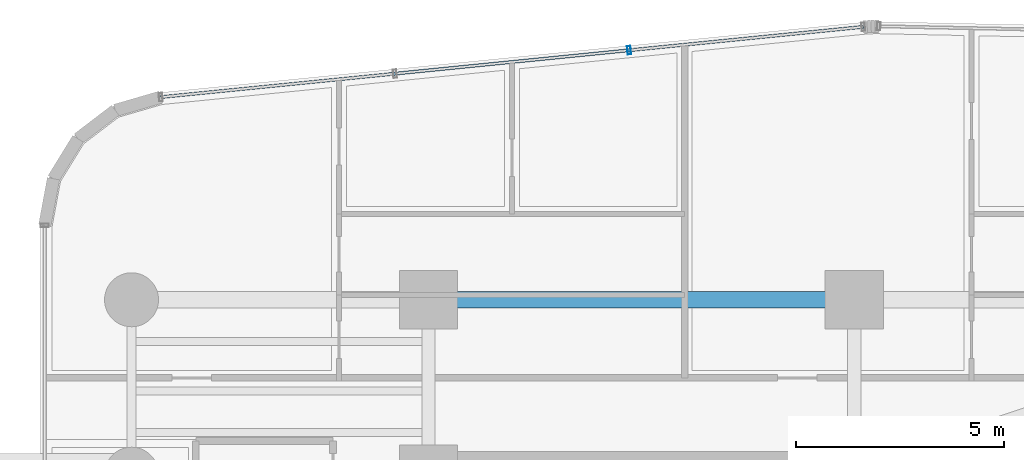
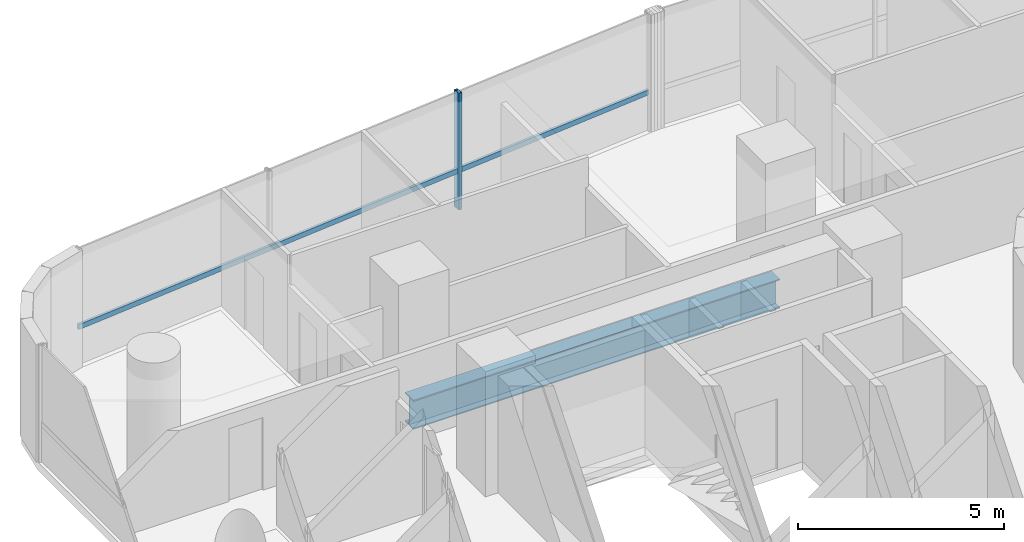
# One storey, part 18 of 40: 2 members, 1 beam, 1 element without a shape of its own.
"""IFC4 building model written with IfcOpenShell, lengths in metres."""

from ifc_helpers import new_model, si_unit, direction, frame, origin, origin_2d, place, context, subcontext, project, spatial, hollow_rectangle, i_section, extrude, source, transform, mapped, material, material_profile, profile_set, type_object, element, aggregate, save


model = new_model("IFC4")

# Units and contexts
model_context = context("Model", 3, precision=1e-05, world=origin(), true_north=direction((0.0, 1.0)))
body_context = subcontext(model_context, "Body", "Model", "MODEL_VIEW")
ifc_project = project(units=[si_unit("LENGTHUNIT", "METRE"), si_unit("AREAUNIT", "SQUARE_METRE"), si_unit("VOLUMEUNIT", "CUBIC_METRE"), si_unit("PLANEANGLEUNIT", "RADIAN"), si_unit("MASSUNIT", "GRAM", prefix="KILO")], contexts=[model_context])

# Site, building, storey
site_placement = place(None, origin())
site = spatial("IfcSite", under=ifc_project, at=site_placement, CompositionType="ELEMENT")
building_placement = place(site_placement, origin())
building = spatial("IfcBuilding", under=site, at=building_placement, Name="Valdorenza Pilgrim Sanctuary Tower", CompositionType="ELEMENT")
storey_placement = place(building_placement, frame((0.0, 0.0, 44.5)))
storey = spatial("IfcBuildingStorey", under=building, at=storey_placement, Name="L10", CompositionType="ELEMENT", Elevation=44.5)

# Beam
ifc_material_1 = material(Name="Steel ASTM A992 Grade 50", Category="steel")
ifc_material_profile_1 = material_profile(ifc_material_1, i_section(OverallWidth=0.39990234375, OverallDepth=0.862060546875, WebThickness=0.019775390625, FlangeThickness=0.032470703125, at=origin_2d()), Name="W33X221")
ifc_profile_set_1 = profile_set([ifc_material_profile_1], Name="Steel ASTM A992 Grade 50")
beam_type = type_object("IfcBeamType", Name="STR-BM-GRD-W33", PredefinedType="BEAM", material=ifc_profile_set_1)
shared_shape_1 = source(origin(), body_context, "Body", "SweptSolid", [
    extrude(i_section(OverallWidth=0.39990234375, OverallDepth=0.862060546875, WebThickness=0.019775390625, FlangeThickness=0.032470703125, at=origin_2d()), origin(), (0.0, 0.0, 1.0), 10.25),
])
beam_placement = place(storey_placement, frame((-22.64990234375, 14.800048828125, -0.6708984375), z_axis=(1.0, 0.0, 0.0), x_axis=(0.0, 1.0, 0.0)))
element("IfcBeam", 1, at=beam_placement, inside=storey, type_object=beam_type, Name="L10 Floor Girder CA-XC-N2", PredefinedType="BEAM", context=body_context, shape_type="MappedRepresentation", body=[
    mapped(shared_shape_1, transform((0.0, 0.0, 0.0), x_axis=(1.0, 0.0, 0.0), y_axis=(0.0, 1.0, 0.0), z_axis=(0.0, 0.0, 1.0), scale=1.0)),
])

# Curtain wall, members
ifc_material_2 = material(Name="Curtain-wall IGU glazing", Category="glass")
curtain_wall_type = type_object("IfcCurtainWallType", Name="CW-SYS-02", PredefinedType="NOTDEFINED", material=ifc_material_2)
curtain_wall_placement = place(storey_placement, origin())
curtain_wall = element("IfcCurtainWall", 2, at=curtain_wall_placement, inside=storey, type_object=curtain_wall_type, Name="L10 Curtain Wall CW-L10-1-6", PredefinedType="NOTDEFINED")
ifc_material_3 = material(Name="Anodised aluminium AW-6060", Category="aluminium")
ifc_material_profile_2 = material_profile(ifc_material_3, hollow_rectangle(XDim=0.0849609375, YDim=0.199951171875, WallThickness=0.0048828125, at=origin_2d()), Name="ALU-M 200x85x5")
ifc_profile_set_2 = profile_set([ifc_material_profile_2], Name="Anodised aluminium AW-6060")
member_type_1 = type_object("IfcMemberType", Name="CW-MUL-02", PredefinedType="MULLION", material=ifc_profile_set_2)
shared_shape_2 = source(origin(), body_context, "Body", "SweptSolid", [
    extrude(hollow_rectangle(XDim=0.0849609375, YDim=0.199951171875, WallThickness=0.0048828125, at=origin_2d()), origin(), (0.0, 0.0, 1.0), 3.4599609375),
])
member_1_placement = place(storey_placement, frame((-17.820556640625, 20.8076171875, 0.0), z_axis=(0.0, 0.0, 1.0), x_axis=(0.995038220239, 0.099493418189, 0.0)))
member_1 = element("IfcMember", 3, at=member_1_placement, type_object=member_type_1, Name="CW-L10-1-6 Mullion 3", PredefinedType="MULLION", context=body_context, shape_type="MappedRepresentation", body=[
    mapped(shared_shape_2, transform((0.0, 0.0, 0.0), x_axis=(1.0, 0.0, 0.0), y_axis=(0.0, 1.0, 0.0), z_axis=(0.0, 0.0, 1.0), scale=1.0)),
])
ifc_material_profile_3 = material_profile(ifc_material_3, hollow_rectangle(XDim=0.074951171875, YDim=0.14990234375, WallThickness=0.00390625, at=origin_2d()), Name="ALU-T 150x75x4")
ifc_profile_set_3 = profile_set([ifc_material_profile_3], Name="Anodised aluminium AW-6060")
member_type_2 = type_object("IfcMemberType", Name="CW-TRN-02", PredefinedType="USERDEFINED", material=ifc_profile_set_3)
shared_shape_3 = source(origin(), body_context, "Body", "SweptSolid", [
    extrude(hollow_rectangle(XDim=0.074951171875, YDim=0.14990234375, WallThickness=0.00390625, at=origin_2d()), origin(), (0.0, 0.0, 1.0), 17.0),
])
member_2_placement = place(storey_placement, frame((-29.097412109375, 19.6796875, 1.1201171875), z_axis=(0.99503662143, 0.099509406661, 0.0), x_axis=(-0.099509406661, 0.99503662143, 0.0)))
member_2 = element("IfcMember", 4, at=member_2_placement, type_object=member_type_2, Name="CW-L10-1-6 Transom 1", ObjectType="TRANSOM", PredefinedType="USERDEFINED", context=body_context, shape_type="MappedRepresentation", body=[
    mapped(shared_shape_3, transform((0.0, 0.0, 0.0), x_axis=(1.0, 0.0, 0.0), y_axis=(0.0, 1.0, 0.0), z_axis=(0.0, 0.0, 1.0), scale=1.0)),
])
aggregate(curtain_wall, [member_1, member_2])

save(model, "model.ifc")
